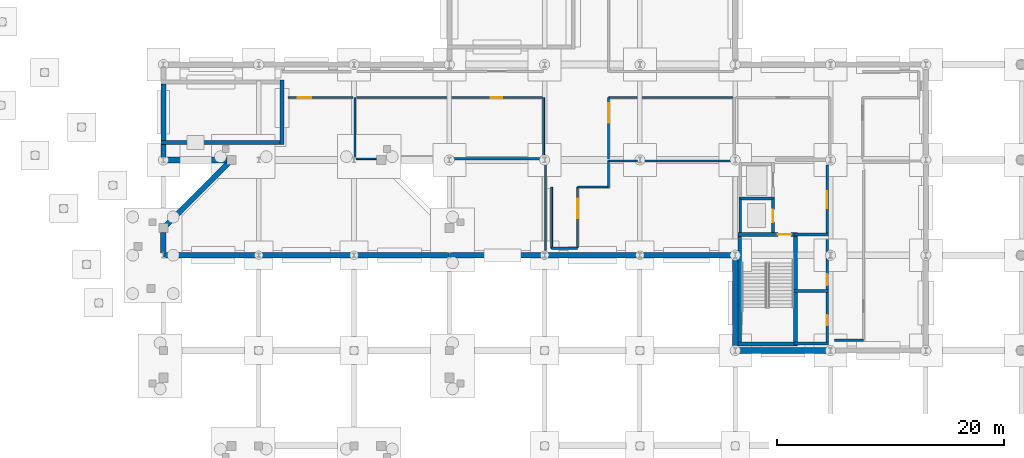
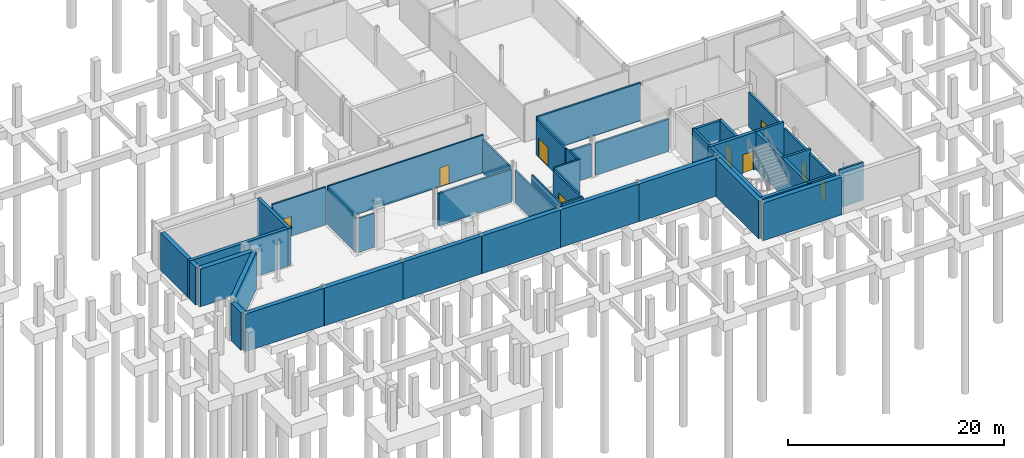
# One storey, part 26 of 43: 45 walls, 9 doors, 9 openings.
"""IFC4 building model written with IfcOpenShell, lengths in metres."""

from ifc_helpers import new_model, si_unit, direction, frame, frame_2d, origin, place, context, subcontext, project, spatial, rectangle, extrude, material, layer, layer_set, type_object, element, fill, save


model = new_model("IFC4")

# Units and contexts
model_context = context("Model", 3, precision=1e-05, world=origin(), true_north=direction((0.0, 1.0)))
body_context = subcontext(model_context, "Body", "Model", "MODEL_VIEW")
ifc_project = project(units=[si_unit("LENGTHUNIT", "METRE"), si_unit("AREAUNIT", "SQUARE_METRE"), si_unit("VOLUMEUNIT", "CUBIC_METRE"), si_unit("PLANEANGLEUNIT", "RADIAN"), si_unit("MASSUNIT", "GRAM", prefix="KILO")], contexts=[model_context])

# Site, building, storey
site_placement = place(None, origin())
site = spatial("IfcSite", under=ifc_project, at=site_placement, CompositionType="ELEMENT")
building_placement = place(site_placement, origin())
building = spatial("IfcBuilding", under=site, at=building_placement, Name="Mersafa Astral City Hall", CompositionType="ELEMENT")
storey_placement = place(building_placement, frame((0.0, 0.0, -4.5)))
storey = spatial("IfcBuildingStorey", under=building, at=storey_placement, Name="B1", CompositionType="ELEMENT", Elevation=-4.5)

# Walls
ifc_material_1 = material(Name="Concrete C40/50", Category="concrete")
ifc_layer_1 = layer(ifc_material_1, 0.449951171875, Name="Concrete C40/50")
ifc_layer_set_1 = layer_set([ifc_layer_1], Name="Concrete C40/50 — ENV-WAL-RET-450")
wall_type_1 = type_object("IfcWallType", Name="ENV-WAL-RET-450", PredefinedType="USERDEFINED", material=ifc_layer_set_1)
wall_1_placement = place(storey_placement, frame((72.950439453125, 24.950439453125, 0.0), z_axis=(0.0, 0.0, 1.0), x_axis=(-0.707106781187, -0.707106781187, 0.0)))
element("IfcWall", 1, at=wall_1_placement, inside=storey, type_object=wall_type_1, Name="B1 Perimeter retaining wall 91", ObjectType="RETAININGWALL", PredefinedType="USERDEFINED", context=body_context, shape_type="SweptSolid", body=[
    extrude(rectangle(XDim=7.779296875, YDim=0.449951171875, at=frame_2d((3.8896484375, 0.0))), origin(), (0.0, 0.0, 1.0), 4.25),
])
for number, where, z_axis, x_axis, name in (
    (2, (67.2080078125, 16.800048828125, 0.0), (0.0, 0.0, 1.0), (1.0, 0.0, 0.0), "B1 Perimeter retaining wall 93"),
    (3, (84.008056640625, 16.800048828125, 0.0), (0.0, 0.0, 1.0), (1.0, 0.0, 0.0), "B1 Perimeter retaining wall 95"),
):
    element("IfcWall", number, at=place(storey_placement, frame(where, z_axis=z_axis, x_axis=x_axis)), inside=storey, type_object=wall_type_1, Name=name, ObjectType="RETAININGWALL", PredefinedType="USERDEFINED", context=body_context, shape_type="SweptSolid", body=[
        extrude(rectangle(XDim=8.384033203125, YDim=0.449951171875, at=frame_2d((4.19189453125, 0.0))), origin(), (0.0, 0.0, 1.0), 4.25),
    ])
wall_2_placement = place(storey_placement, frame((100.80810546875, 16.800048828125, 0.0), z_axis=(0.0, 0.0, 1.0), x_axis=(1.0, 0.0, 0.0)))
element("IfcWall", 4, at=wall_2_placement, inside=storey, type_object=wall_type_1, Name="B1 Perimeter retaining wall 97", ObjectType="RETAININGWALL", PredefinedType="USERDEFINED", context=body_context, shape_type="SweptSolid", body=[
    extrude(rectangle(XDim=8.3837890625, YDim=0.449951171875, at=frame_2d((4.19189453125, 0.0))), origin(), (0.0, 0.0, 1.0), 4.25),
])
wall_3_placement = place(storey_placement, frame((117.60009765625, 16.56494140625, 0.0), z_axis=(0.0, 0.0, 1.0), x_axis=(0.0, -1.0, 0.0)))
element("IfcWall", 5, at=wall_3_placement, inside=storey, type_object=wall_type_1, Name="B1 Perimeter retaining wall 99", ObjectType="RETAININGWALL", PredefinedType="USERDEFINED", context=body_context, shape_type="SweptSolid", body=[
    extrude(rectangle(XDim=7.929931640625, YDim=0.449951171875, at=frame_2d((3.96484375, 0.0))), origin(), (0.0, 0.0, 1.0), 4.25),
])
wall_4_placement = place(storey_placement, frame((67.199951171875, 31.883056640625, 0.0), z_axis=(0.0, 0.0, 1.0), x_axis=(0.0, -1.0, 0.0)))
element("IfcWall", 6, at=wall_4_placement, inside=storey, type_object=wall_type_1, Name="B1 Perimeter retaining wall 89", ObjectType="RETAININGWALL", PredefinedType="USERDEFINED", context=body_context, shape_type="SweptSolid", body=[
    extrude(rectangle(XDim=4.966064453125, YDim=0.449951171875, at=frame_2d((2.48291015625, 0.0))), origin(), (0.0, 0.0, 1.0), 4.25),
])
wall_5_placement = place(storey_placement, frame((67.199951171875, 26.572998046875, 0.0), z_axis=(0.0, 0.0, 1.0), x_axis=(0.0, -1.0, 0.0)))
element("IfcWall", 7, at=wall_5_placement, inside=storey, type_object=wall_type_1, Name="B1 Perimeter retaining wall 89", ObjectType="RETAININGWALL", PredefinedType="USERDEFINED", context=body_context, shape_type="SweptSolid", body=[
    extrude(rectangle(XDim=1.1630859375, YDim=0.449951171875, at=frame_2d((0.58154296875, 0.0))), origin(), (0.0, 0.0, 1.0), 4.25),
])
ifc_layer_2 = layer(ifc_material_1, 0.5, Name="Concrete C40/50")
ifc_layer_set_2 = layer_set([ifc_layer_2], Name="Concrete C40/50 — ENV-WAL-RET-500")
wall_type_2 = type_object("IfcWallType", Name="ENV-WAL-RET-500", PredefinedType="USERDEFINED", material=ifc_layer_set_2)
wall_6_placement = place(storey_placement, frame((67.2080078125, 25.199951171875, 0.0), z_axis=(0.0, 0.0, 1.0), x_axis=(1.0, 0.0, 0.0)))
element("IfcWall", 8, at=wall_6_placement, inside=storey, type_object=wall_type_2, Name="B1 Perimeter retaining wall 90", ObjectType="RETAININGWALL", PredefinedType="USERDEFINED", context=body_context, shape_type="SweptSolid", body=[
    extrude(rectangle(XDim=5.60693359375, YDim=0.5, at=frame_2d((2.803466796875, 0.0))), origin(), (0.0, 0.0, 1.0), 4.25),
])
wall_7_placement = place(storey_placement, frame((67.199951171875, 18.81494140625, 0.0), z_axis=(0.0, 0.0, 1.0), x_axis=(0.0, -1.0, 0.0)))
element("IfcWall", 9, at=wall_7_placement, inside=storey, type_object=wall_type_2, Name="B1 Perimeter retaining wall 92", ObjectType="RETAININGWALL", PredefinedType="USERDEFINED", context=body_context, shape_type="SweptSolid", body=[
    extrude(rectangle(XDim=1.804931640625, YDim=0.5, at=frame_2d((0.90234375, 0.0))), origin(), (0.0, 0.0, 1.0), 4.25),
])
for number, where, z_axis, x_axis, name in (
    (10, (75.60791015625, 16.800048828125, 0.0), (0.0, 0.0, 1.0), (1.0, 0.0, 0.0), "B1 Perimeter retaining wall 94"),
    (11, (92.407958984375, 16.800048828125, 0.0), (0.0, 0.0, 1.0), (1.0, 0.0, 0.0), "B1 Perimeter retaining wall 96"),
    (12, (109.2080078125, 16.800048828125, 0.0), (0.0, 0.0, 1.0), (1.0, 0.0, 0.0), "B1 Perimeter retaining wall 98"),
    (13, (117.60791015625, 8.39990234375, 0.0), (0.0, 0.0, 1.0), (1.0, 0.0, 0.0), "B1 Perimeter retaining wall 100"),
):
    element("IfcWall", number, at=place(storey_placement, frame(where, z_axis=z_axis, x_axis=x_axis)), inside=storey, type_object=wall_type_2, Name=name, ObjectType="RETAININGWALL", PredefinedType="USERDEFINED", context=body_context, shape_type="SweptSolid", body=[
        extrude(rectangle(XDim=8.384033203125, YDim=0.5, at=frame_2d((4.19189453125, 0.0))), origin(), (0.0, 0.0, 1.0), 4.25),
    ])
ifc_layer_3 = layer(ifc_material_1, 0.260009765625, Name="Concrete C40/50")
ifc_layer_set_3 = layer_set([ifc_layer_3], Name="Concrete C40/50 — INT-WAL-CORE-260")
wall_type_3 = type_object("IfcWallType", Name="INT-WAL-CORE-260", PredefinedType="SHEAR", material=ifc_layer_set_3)
wall_8_placement = place(storey_placement, frame((117.9150390625, 21.784912109375, 0.0), z_axis=(0.0, 0.0, 1.0), x_axis=(1.0, 0.0, 0.0)))
element("IfcWall", 14, at=wall_8_placement, inside=storey, type_object=wall_type_3, Name="B1 Lift LF7 north shaft wall", PredefinedType="SHEAR", context=body_context, shape_type="SweptSolid", body=[
    extrude(rectangle(XDim=3.1298828125, YDim=0.260009765625, at=frame_2d((1.56494140625, 0.0))), origin(), (0.0, 0.0, 1.0), 4.25),
])
wall_9_placement = place(storey_placement, frame((118.044921875, 18.797119140625, 0.0), z_axis=(0.0, 0.0, 1.0), x_axis=(0.0, 1.0, 0.0)))
element("IfcWall", 15, at=wall_9_placement, inside=storey, type_object=wall_type_3, Name="B1 Lift LF7 back shaft wall", PredefinedType="SHEAR", context=body_context, shape_type="SweptSolid", body=[
    extrude(rectangle(XDim=2.947998046875, YDim=0.260009765625, at=frame_2d((1.47412109375, 0.0))), origin(), (0.0, 0.0, 1.0), 4.25),
])

# Wall, opening, door
wall_10_placement = place(storey_placement, frame((120.9150390625, 18.797119140625, 0.0), z_axis=(0.0, 0.0, 1.0), x_axis=(0.0, 1.0, 0.0)))
wall_10 = element("IfcWall", 16, at=wall_10_placement, inside=storey, type_object=wall_type_3, Name="B1 Lift LF7 front shaft wall", PredefinedType="SHEAR", context=body_context, shape_type="SweptSolid", body=[
    extrude(rectangle(XDim=2.947998046875, YDim=0.260009765625, at=frame_2d((1.47412109375, 0.0))), origin(), (0.0, 0.0, 1.0), 4.25),
])
opening_1_placement = place(wall_10_placement, frame((0.924072265625, 0.0, 0.0)))
opening_1 = element("IfcOpeningElement", 17, at=opening_1_placement, cuts=wall_10, Name="Opening LD-1", PredefinedType="OPENING", context=body_context, shape_type="SweptSolid", body=[
    extrude(rectangle(XDim=1.10009765625, YDim=2.14990234375, at=frame_2d((0.550048828125, 1.074951171875))), frame((0.0, 0.139892578125, 0.0), z_axis=(0.0, -1.0, 0.0), x_axis=(1.0, 0.0, 0.0)), (0.0, 0.0, 1.0), 0.280029296875),
])
ifc_material_2 = material(Name="Stainless steel sliding lift landing door", Category="steel")
door_type_1 = type_object("IfcDoorType", Name="INT-DR-LIFT-LD1", OperationType="NOTDEFINED", PredefinedType="DOOR", material=ifc_material_2)
door_1_placement = place(opening_1_placement, origin())
door_1 = element("IfcDoor", 18, at=door_1_placement, inside=storey, type_object=door_type_1, Name="Elevator LF7 Sliding Landing Door B1", OperationType="DOUBLE_DOOR_SLIDING", OverallHeight=2.14990234375, OverallWidth=1.10009765625, PredefinedType="DOOR", context=body_context, shape_type="SweptSolid", body=[
    extrude(rectangle(XDim=1.10009765625, YDim=2.14990234375, at=frame_2d((0.550048828125, 1.074951171875))), frame((0.0, 0.02490234375, 0.0), z_axis=(0.0, -1.0, 0.0), x_axis=(1.0, 0.0, 0.0)), (0.0, 0.0, 1.0), 0.050048828125),
])
fill(opening_1, door_1)

# Walls
for number, where, z_axis, x_axis, name in (
    (19, (122.764892578125, 9.02001953125, 0.0), (0.0, 0.0, 1.0), (1.0, 0.0, 0.0), "B1 Core K5 riser south wall"),
    (20, (122.764892578125, 13.635009765625, 0.0), (0.0, 0.0, 1.0), (1.0, 0.0, 0.0), "B1 Core K5 riser-restroom divider wall"),
    (21, (122.764892578125, 18.635009765625, 0.0), (0.0, 0.0, 1.0), (1.0, 0.0, 0.0), "B1 Core K5 restroom-lobby divider wall"),
):
    element("IfcWall", number, at=place(storey_placement, frame(where, z_axis=z_axis, x_axis=x_axis)), inside=storey, type_object=wall_type_3, Name=name, PredefinedType="SHEAR", context=body_context, shape_type="SweptSolid", body=[
        extrude(rectangle(XDim=3.03515625, YDim=0.260009765625, at=frame_2d((1.517578125, 0.0))), origin(), (0.0, 0.0, 1.0), 4.25),
    ])
ifc_layer_4 = layer(ifc_material_1, 0.340087890625, Name="Concrete C40/50")
ifc_layer_set_4 = layer_set([ifc_layer_4], Name="Concrete C40/50 — INT-WAL-CORE-340")
wall_type_4 = type_object("IfcWallType", Name="INT-WAL-CORE-340", PredefinedType="SHEAR", material=ifc_layer_set_4)
for number, where, z_axis, x_axis, name in (
    (22, (118.0048828125, 8.804931640625, 0.0), (0.0, 0.0, 1.0), (0.0, 1.0, 0.0), "B1 Core K5 stair west shear wall"),
    (23, (122.9150390625, 8.804931640625, 0.0), (0.0, 0.0, 1.0), (0.0, 1.0, 0.0), "B1 Core K5 stair east shear wall"),
):
    element("IfcWall", number, at=place(storey_placement, frame(where, z_axis=z_axis, x_axis=x_axis)), inside=storey, type_object=wall_type_4, Name=name, PredefinedType="SHEAR", context=body_context, shape_type="SweptSolid", body=[
        extrude(rectangle(XDim=9.989990234375, YDim=0.340087890625, at=frame_2d((4.9951171875, 0.0))), origin(), (0.0, 0.0, 1.0), 4.25),
    ])
wall_11_placement = place(storey_placement, frame((117.8349609375, 8.97509765625, 0.0), z_axis=(0.0, 0.0, 1.0), x_axis=(1.0, 0.0, 0.0)))
element("IfcWall", 24, at=wall_11_placement, inside=storey, type_object=wall_type_4, Name="B1 Core K5 stair south shear wall", PredefinedType="SHEAR", context=body_context, shape_type="SweptSolid", body=[
    extrude(rectangle(XDim=5.25, YDim=0.340087890625, at=frame_2d((2.625, 0.0))), origin(), (0.0, 0.0, 1.0), 4.25),
])

# Wall, opening, door
wall_12_placement = place(storey_placement, frame((117.8349609375, 18.625, 0.0), z_axis=(0.0, 0.0, 1.0), x_axis=(1.0, 0.0, 0.0)))
wall_12 = element("IfcWall", 25, at=wall_12_placement, inside=storey, type_object=wall_type_4, Name="B1 Core K5 stair-lobby fire wall", PredefinedType="SHEAR", context=body_context, shape_type="SweptSolid", body=[
    extrude(rectangle(XDim=5.25, YDim=0.340087890625, at=frame_2d((2.625, 0.0))), origin(), (0.0, 0.0, 1.0), 4.25),
])
opening_2_placement = place(wall_12_placement, frame((3.534912109375, 0.0, 0.0)))
opening_2 = element("IfcOpeningElement", 26, at=opening_2_placement, cuts=wall_12, Name="Opening CD-1", PredefinedType="OPENING", context=body_context, shape_type="SweptSolid", body=[
    extrude(rectangle(XDim=1.14990234375, YDim=2.14990234375, at=frame_2d((0.574951171875, 1.074951171875))), frame((0.0, 0.179931640625, 0.0), z_axis=(0.0, -1.0, 0.0), x_axis=(1.0, 0.0, 0.0)), (0.0, 0.0, 1.0), 0.360107421875),
])
ifc_material_3 = material(Name="Fire-rated steel stair door", Category="steel")
door_type_2 = type_object("IfcDoorType", Name="INT-DR-STAIR-FD90-1150", OperationType="NOTDEFINED", PredefinedType="DOOR", material=ifc_material_3)
door_2_placement = place(opening_2_placement, origin())
door_2 = element("IfcDoor", 27, at=door_2_placement, inside=storey, type_object=door_type_2, Name="B1 Protected Stair ST5 Door", OperationType="SINGLE_SWING_LEFT", OverallHeight=2.14990234375, OverallWidth=1.14990234375, PredefinedType="DOOR", context=body_context, shape_type="SweptSolid", body=[
    extrude(rectangle(XDim=1.14990234375, YDim=2.14990234375, at=frame_2d((0.574951171875, 1.074951171875))), frame((0.0, 0.02490234375, 0.0), z_axis=(0.0, -1.0, 0.0), x_axis=(1.0, 0.0, 0.0)), (0.0, 0.0, 1.0), 0.050048828125),
])
fill(opening_2, door_2)

# Walls
wall_13_placement = place(storey_placement, frame((67.0, 26.7451171875, 0.0), z_axis=(0.0, 0.0, 1.0), x_axis=(1.0, 0.0, 0.0)))
element("IfcWall", 28, at=wall_13_placement, inside=storey, type_object=wall_type_4, Name="B1 Stair shaft K7 foundation shear wall S", PredefinedType="SHEAR", context=body_context, shape_type="SweptSolid", body=[
    extrude(rectangle(XDim=10.824951171875, YDim=0.340087890625, at=frame_2d((5.41259765625, 0.0))), origin(), (0.0, 0.0, 1.0), 4.25),
])
wall_14_placement = place(storey_placement, frame((77.655029296875, 26.574951171875, 0.0), z_axis=(0.0, 0.0, 1.0), x_axis=(0.0, 1.0, 0.0)))
element("IfcWall", 29, at=wall_14_placement, inside=storey, type_object=wall_type_4, Name="B1 Stair shaft K7 foundation shear wall E", PredefinedType="SHEAR", context=body_context, shape_type="SweptSolid", body=[
    extrude(rectangle(XDim=5.650146484375, YDim=0.340087890625, at=frame_2d((2.8251953125, 0.0))), origin(), (0.0, 0.0, 1.0), 4.25),
])
ifc_material_4 = material(Name="Acoustic steel-stud gypsum partition", Category="steel")
ifc_layer_5 = layer(ifc_material_4, 0.135009765625, Name="Acoustic steel-stud gypsum partition")
ifc_layer_set_5 = layer_set([ifc_layer_5], Name="Acoustic steel-stud gypsum partition — INT-WAL-PART-EI30-135")
wall_type_5 = type_object("IfcWallType", Name="INT-WAL-PART-EI30-135", PredefinedType="STANDARD", material=ifc_layer_set_5)
wall_15_placement = place(storey_placement, frame((85.9423828125, 25.2900390625, -0.00390625), z_axis=(0.0, 0.0, 1.0), x_axis=(-1.0, 0.0, 0.0)))
element("IfcWall", 30, at=wall_15_placement, inside=storey, type_object=wall_type_5, Name="B1 Interior partition wall 61", PredefinedType="STANDARD", context=body_context, shape_type="SweptSolid", body=[
    extrude(rectangle(XDim=1.74072265625, YDim=0.135009765625, at=frame_2d((0.870361328125, 0.0))), origin(), (0.0, 0.0, 1.0), 3.845947265625),
])
ifc_material_5 = material(Name="Fire-rated gypsum stud partition", Category="gypsum")
ifc_layer_6 = layer(ifc_material_5, 0.1650390625, Name="Fire-rated gypsum stud partition")
ifc_layer_set_6 = layer_set([ifc_layer_6], Name="Fire-rated gypsum stud partition — INT-WAL-PART-EI60-165")
wall_type_6 = type_object("IfcWallType", Name="INT-WAL-PART-EI60-165", PredefinedType="STANDARD", material=ifc_layer_set_6)
wall_16_placement = place(storey_placement, frame((101.419921875, 22.81005859375, -0.00390625), z_axis=(0.0, 0.0, 1.0), x_axis=(0.0, -1.0, 0.0)))
element("IfcWall", 31, at=wall_16_placement, inside=storey, type_object=wall_type_6, Name="B1 Interior partition wall 47", PredefinedType="STANDARD", context=body_context, shape_type="SweptSolid", body=[
    extrude(rectangle(XDim=5.39013671875, YDim=0.1650390625, at=frame_2d((2.695068359375, 0.0))), origin(), (0.0, 0.0, 1.0), 4.25390625),
])
wall_17_placement = place(storey_placement, frame((106.429931640625, 22.81005859375, -0.00390625), z_axis=(0.0, 0.0, 1.0), x_axis=(0.0, 1.0, 0.0)))
element("IfcWall", 32, at=wall_17_placement, inside=storey, type_object=wall_type_6, Name="B1 Interior partition wall 51", PredefinedType="STANDARD", context=body_context, shape_type="SweptSolid", body=[
    extrude(rectangle(XDim=2.300048828125, YDim=0.1650390625, at=frame_2d((1.14990234375, 0.0))), origin(), (0.0, 0.0, 1.0), 4.015869140625),
])
wall_18_placement = place(storey_placement, frame((100.7099609375, 30.699951171875, -0.00390625), z_axis=(0.0, 0.0, 1.0), x_axis=(0.0, -1.0, 0.0)))
element("IfcWall", 33, at=wall_18_placement, inside=storey, type_object=wall_type_6, Name="B1 Interior partition wall 59", PredefinedType="STANDARD", context=body_context, shape_type="SweptSolid", body=[
    extrude(rectangle(XDim=5.29833984375, YDim=0.1650390625, at=frame_2d((2.649169921875, 0.0))), origin(), (0.0, 0.0, 1.0), 3.745849609375),
])

# Wall, opening, door
wall_19_placement = place(storey_placement, frame((84.090087890625, 30.699951171875, -0.00390625), z_axis=(0.0, 0.0, 1.0), x_axis=(1.0, 0.0, 0.0)))
wall_19 = element("IfcWall", 34, at=wall_19_placement, inside=storey, type_object=wall_type_6, Name="B1 Interior partition wall 63", PredefinedType="STANDARD", context=body_context, shape_type="SweptSolid", body=[
    extrude(rectangle(XDim=16.619873046875, YDim=0.1650390625, at=frame_2d((8.31005859375, 0.0))), origin(), (0.0, 0.0, 1.0), 4.25390625),
])
opening_3_placement = place(wall_19_placement, frame((11.97509765625, 0.0, 0.014892578125)))
opening_3 = element("IfcOpeningElement", 35, at=opening_3_placement, cuts=wall_19, Name="Opening D-11", PredefinedType="OPENING", context=body_context, shape_type="SweptSolid", body=[
    extrude(rectangle(XDim=0.97998046875, YDim=2.139892578125, at=frame_2d((0.489990234375, 1.06982421875))), frame((0.0, 0.092529296875, 0.0), z_axis=(0.0, -1.0, 0.0), x_axis=(1.0, 0.0, 0.0)), (0.0, 0.0, 1.0), 0.18505859375),
])
ifc_material_6 = material(Name="Cedar veneered acoustic fire-rated timber door", Category="wood")
door_type_3 = type_object("IfcDoorType", Name="INT-DR-RM-D-11", OperationType="NOTDEFINED", PredefinedType="DOOR", material=ifc_material_6)
door_3_placement = place(opening_3_placement, origin())
door_3 = element("IfcDoor", 36, at=door_3_placement, inside=storey, type_object=door_type_3, Name="B1 Bicycle & Staff Changing Room B1-10 Entrance Door", OperationType="SINGLE_SWING_LEFT", OverallHeight=2.139892578125, OverallWidth=0.97998046875, PredefinedType="DOOR", context=body_context, shape_type="SweptSolid", body=[
    extrude(rectangle(XDim=0.97998046875, YDim=2.139892578125, at=frame_2d((0.489990234375, 1.06982421875))), frame((0.0, 0.02490234375, 0.0), z_axis=(0.0, -1.0, 0.0), x_axis=(1.0, 0.0, 0.0)), (0.0, 0.0, 1.0), 0.050048828125),
])
fill(opening_3, door_3)

# Walls
ifc_material_7 = material(Name="Acoustic twin-stud gypsum partition", Category="gypsum")
ifc_layer_7 = layer(ifc_material_7, 0.179931640625, Name="Acoustic twin-stud gypsum partition")
ifc_layer_set_7 = layer_set([ifc_layer_7], Name="Acoustic twin-stud gypsum partition — INT-WAL-PART-EI60-180")
wall_type_7 = type_object("IfcWallType", Name="INT-WAL-PART-EI60-180", PredefinedType="STANDARD", material=ifc_layer_set_7)
wall_20_placement = place(storey_placement, frame((103.699951171875, 22.81005859375, -0.00390625), z_axis=(0.0, 0.0, 1.0), x_axis=(1.0, 0.0, 0.0)))
element("IfcWall", 37, at=wall_20_placement, inside=storey, type_object=wall_type_7, Name="B1 Interior partition wall 50", PredefinedType="STANDARD", context=body_context, shape_type="SweptSolid", body=[
    extrude(rectangle(XDim=2.72998046875, YDim=0.179931640625, at=frame_2d((1.364990234375, 0.0))), origin(), (0.0, 0.0, 1.0), 4.25390625),
])
wall_21_placement = place(storey_placement, frame((100.889892578125, 17.219970703125, -0.00390625), z_axis=(0.0, 0.0, 1.0), x_axis=(0.0, 1.0, 0.0)))
element("IfcWall", 38, at=wall_21_placement, inside=storey, type_object=wall_type_7, Name="B1 Interior partition wall 54", PredefinedType="STANDARD", context=body_context, shape_type="SweptSolid", body=[
    extrude(rectangle(XDim=7.7783203125, YDim=0.179931640625, at=frame_2d((3.88916015625, 0.0))), origin(), (0.0, 0.0, 1.0), 3.635986328125),
])
wall_22_placement = place(storey_placement, frame((84.090087890625, 25.401611328125, -0.00390625), z_axis=(0.0, 0.0, 1.0), x_axis=(0.0, 1.0, 0.0)))
element("IfcWall", 39, at=wall_22_placement, inside=storey, type_object=wall_type_7, Name="B1 Interior partition wall 62", PredefinedType="STANDARD", context=body_context, shape_type="SweptSolid", body=[
    extrude(rectangle(XDim=5.29833984375, YDim=0.179931640625, at=frame_2d((2.649169921875, 0.0))), origin(), (0.0, 0.0, 1.0), 3.926025390625),
])

# Wall, opening, door
wall_23_placement = place(storey_placement, frame((106.429931640625, 25.2900390625, -0.00390625), z_axis=(0.0, 0.0, 1.0), x_axis=(0.0, 1.0, 0.0)))
wall_23 = element("IfcWall", 40, at=wall_23_placement, inside=storey, type_object=wall_type_7, Name="B1 Interior partition wall 86", PredefinedType="STANDARD", context=body_context, shape_type="SweptSolid", body=[
    extrude(rectangle(XDim=5.409912109375, YDim=0.179931640625, at=frame_2d((2.705078125, 0.0))), origin(), (0.0, 0.0, 1.0), 3.935791015625),
])
opening_4_placement = place(wall_23_placement, frame((3.197509765625, 0.0, 0.014892578125)))
opening_4 = element("IfcOpeningElement", 41, at=opening_4_placement, cuts=wall_23, Name="Opening D-18", PredefinedType="OPENING", context=body_context, shape_type="SweptSolid", body=[
    extrude(rectangle(XDim=1.719970703125, YDim=2.139892578125, at=frame_2d((0.85986328125, 1.06982421875))), frame((0.0, 0.099853515625, 0.0), z_axis=(0.0, -1.0, 0.0), x_axis=(1.0, 0.0, 0.0)), (0.0, 0.0, 1.0), 0.199951171875),
])
door_type_4 = type_object("IfcDoorType", Name="INT-DR-RM-D-18", OperationType="NOTDEFINED", PredefinedType="DOOR", material=ifc_material_6)
door_4_placement = place(opening_4_placement, origin())
door_4 = element("IfcDoor", 42, at=door_4_placement, inside=storey, type_object=door_type_4, Name="B1 Mechanical Chiller Plant Room B1-17 Entrance Door", OperationType="SINGLE_SWING_RIGHT", OverallHeight=2.139892578125, OverallWidth=1.719970703125, PredefinedType="DOOR", context=body_context, shape_type="SweptSolid", body=[
    extrude(rectangle(XDim=1.719970703125, YDim=2.139892578125, at=frame_2d((0.85986328125, 1.06982421875))), frame((0.0, 0.02490234375, 0.0), z_axis=(0.0, -1.0, 0.0), x_axis=(1.0, 0.0, 0.0)), (0.0, 0.0, 1.0), 0.050048828125),
])
fill(opening_4, door_4)

wall_24_placement = place(storey_placement, frame((78.199951171875, 30.699951171875, -0.00390625), z_axis=(0.0, 0.0, 1.0), x_axis=(1.0, 0.0, 0.0)))
wall_24 = element("IfcWall", 43, at=wall_24_placement, inside=storey, type_object=wall_type_7, Name="B1 Interior partition wall 98", PredefinedType="STANDARD", context=body_context, shape_type="SweptSolid", body=[
    extrude(rectangle(XDim=5.7099609375, YDim=0.179931640625, at=frame_2d((2.85498046875, 0.0))), origin(), (0.0, 0.0, 1.0), 4.25390625),
])
opening_5_placement = place(wall_24_placement, frame((0.83740234375, 0.0, 0.014892578125)))
opening_5 = element("IfcOpeningElement", 44, at=opening_5_placement, cuts=wall_24, Name="Opening D-23", PredefinedType="OPENING", context=body_context, shape_type="SweptSolid", body=[
    extrude(rectangle(XDim=1.179931640625, YDim=2.219970703125, at=frame_2d((0.58984375, 1.10986328125))), frame((0.0, 0.099853515625, 0.0), z_axis=(0.0, -1.0, 0.0), x_axis=(1.0, 0.0, 0.0)), (0.0, 0.0, 1.0), 0.199951171875),
])
door_type_5 = type_object("IfcDoorType", Name="INT-DR-RM-D-23", OperationType="NOTDEFINED", PredefinedType="DOOR", material=ifc_material_6)
door_5_placement = place(opening_5_placement, origin())
door_5 = element("IfcDoor", 45, at=door_5_placement, inside=storey, type_object=door_type_5, Name="B1 Bicycle & Staff Changing Room B1-22 Entrance Door", OperationType="SINGLE_SWING_LEFT", OverallHeight=2.219970703125, OverallWidth=1.179931640625, PredefinedType="DOOR", context=body_context, shape_type="SweptSolid", body=[
    extrude(rectangle(XDim=1.179931640625, YDim=2.219970703125, at=frame_2d((0.58984375, 1.10986328125))), frame((0.0, 0.02490234375, 0.0), z_axis=(0.0, -1.0, 0.0), x_axis=(1.0, 0.0, 0.0)), (0.0, 0.0, 1.0), 0.050048828125),
])
fill(opening_5, door_5)

ifc_layer_8 = layer(ifc_material_7, 0.195068359375, Name="Acoustic twin-stud gypsum partition")
ifc_layer_set_8 = layer_set([ifc_layer_8], Name="Acoustic twin-stud gypsum partition — INT-WAL-PART-EI60-195")
wall_type_8 = type_object("IfcWallType", Name="INT-WAL-PART-EI60-195", PredefinedType="STANDARD", material=ifc_layer_set_8)
wall_25_placement = place(storey_placement, frame((103.699951171875, 17.419921875, -0.00390625), z_axis=(0.0, 0.0, 1.0), x_axis=(0.0, 1.0, 0.0)))
wall_25 = element("IfcWall", 46, at=wall_25_placement, inside=storey, type_object=wall_type_8, Name="B1 Interior partition wall 49", PredefinedType="STANDARD", context=body_context, shape_type="SweptSolid", body=[
    extrude(rectangle(XDim=5.39013671875, YDim=0.195068359375, at=frame_2d((2.695068359375, 0.0))), origin(), (0.0, 0.0, 1.0), 4.015869140625),
])
opening_6_placement = place(wall_25_placement, frame((2.6435546875, 0.0, 0.014892578125)))
opening_6 = element("IfcOpeningElement", 47, at=opening_6_placement, cuts=wall_25, Name="Opening D-09", PredefinedType="OPENING", context=body_context, shape_type="SweptSolid", body=[
    extrude(rectangle(XDim=1.719970703125, YDim=2.06005859375, at=frame_2d((0.85986328125, 1.030029296875))), frame((0.0, 0.107421875, 0.0), z_axis=(0.0, -1.0, 0.0), x_axis=(1.0, 0.0, 0.0)), (0.0, 0.0, 1.0), 0.215087890625),
])
door_type_6 = type_object("IfcDoorType", Name="INT-DR-RM-D-09", OperationType="NOTDEFINED", PredefinedType="DOOR", material=ifc_material_6)
door_6_placement = place(opening_6_placement, origin())
door_6 = element("IfcDoor", 48, at=door_6_placement, inside=storey, type_object=door_type_6, Name="B1 Domestic Water Booster Room B1-08 Entrance Door", OperationType="SINGLE_SWING_LEFT", OverallHeight=2.06005859375, OverallWidth=1.719970703125, PredefinedType="DOOR", context=body_context, shape_type="SweptSolid", body=[
    extrude(rectangle(XDim=1.719970703125, YDim=2.06005859375, at=frame_2d((0.85986328125, 1.030029296875))), frame((0.0, 0.02490234375, 0.0), z_axis=(0.0, -1.0, 0.0), x_axis=(1.0, 0.0, 0.0)), (0.0, 0.0, 1.0), 0.050048828125),
])
fill(opening_6, door_6)

# Wall
wall_26_placement = place(storey_placement, frame((109.4287109375, 25.110107421875, -0.00390625), z_axis=(0.0, 0.0, 1.0), x_axis=(1.0, 0.0, 0.0)))
element("IfcWall", 49, at=wall_26_placement, inside=storey, type_object=wall_type_8, Name="B1 Interior partition wall 53", PredefinedType="STANDARD", context=body_context, shape_type="SweptSolid", body=[
    extrude(rectangle(XDim=7.831298828125, YDim=0.195068359375, at=frame_2d((3.91552734375, 0.0))), origin(), (0.0, 0.0, 1.0), 3.635986328125),
])

# Wall, opening, door
ifc_material_8 = material(Name="Autoclaved aerated concrete blockwork plastered", Category="masonry")
ifc_layer_9 = layer(ifc_material_8, 0.2099609375, Name="Autoclaved aerated concrete blockwork plastered")
ifc_layer_set_9 = layer_set([ifc_layer_9], Name="Autoclaved aerated concrete blockwork plastered — INT-WAL-PART-EI60-210")
wall_type_9 = type_object("IfcWallType", Name="INT-WAL-PART-EI60-210", PredefinedType="STANDARD", material=ifc_layer_set_9)
wall_27_placement = place(storey_placement, frame((125.699951171875, 9.02001953125, 0.0), z_axis=(0.0, 0.0, 1.0), x_axis=(0.0, 1.0, 0.0)))
wall_27 = element("IfcWall", 50, at=wall_27_placement, inside=storey, type_object=wall_type_9, Name="B1 Core K5 riser corridor partition", PredefinedType="STANDARD", context=body_context, shape_type="SweptSolid", body=[
    extrude(rectangle(XDim=4.590087890625, YDim=0.2099609375, at=frame_2d((2.294921875, 0.0))), origin(), (0.0, 0.0, 1.0), 3.83203125),
])
opening_7_placement = place(wall_27_placement, frame((1.60009765625, 0.0, 0.0)))
opening_7 = element("IfcOpeningElement", 51, at=opening_7_placement, cuts=wall_27, Name="Opening CD-5", PredefinedType="OPENING", context=body_context, shape_type="SweptSolid", body=[
    extrude(rectangle(XDim=0.89990234375, YDim=2.10009765625, at=frame_2d((0.449951171875, 1.050048828125))), frame((0.0, 0.114990234375, 0.0), z_axis=(0.0, -1.0, 0.0), x_axis=(1.0, 0.0, 0.0)), (0.0, 0.0, 1.0), 0.22998046875),
])
ifc_material_9 = material(Name="Fire-rated steel riser access door", Category="steel")
door_type_7 = type_object("IfcDoorType", Name="INT-DR-RISER-FD60-900", OperationType="NOTDEFINED", PredefinedType="DOOR", material=ifc_material_9)
door_7_placement = place(opening_7_placement, origin())
door_7 = element("IfcDoor", 52, at=door_7_placement, inside=storey, type_object=door_type_7, Name="B1 K5 MEP Riser Access Door", OperationType="SINGLE_SWING_RIGHT", OverallHeight=2.10009765625, OverallWidth=0.89990234375, PredefinedType="DOOR", context=body_context, shape_type="SweptSolid", body=[
    extrude(rectangle(XDim=0.89990234375, YDim=2.10009765625, at=frame_2d((0.449951171875, 1.050048828125))), frame((0.0, 0.02490234375, 0.0), z_axis=(0.0, -1.0, 0.0), x_axis=(1.0, 0.0, 0.0)), (0.0, 0.0, 1.0), 0.050048828125),
])
fill(opening_7, door_7)

wall_28_placement = place(storey_placement, frame((125.699951171875, 13.719970703125, 0.0), z_axis=(0.0, 0.0, 1.0), x_axis=(0.0, 1.0, 0.0)))
wall_28 = element("IfcWall", 53, at=wall_28_placement, inside=storey, type_object=wall_type_9, Name="B1 Core K5 accessible WC corridor partition", PredefinedType="STANDARD", context=body_context, shape_type="SweptSolid", body=[
    extrude(rectangle(XDim=4.47998046875, YDim=0.2099609375, at=frame_2d((2.239990234375, 0.0))), origin(), (0.0, 0.0, 1.0), 3.83203125),
])
opening_8_placement = place(wall_28_placement, frame((0.449951171875, 0.0, 0.0)))
opening_8 = element("IfcOpeningElement", 54, at=opening_8_placement, cuts=wall_28, Name="Opening CD-4", PredefinedType="OPENING", context=body_context, shape_type="SweptSolid", body=[
    extrude(rectangle(XDim=0.949951171875, YDim=2.14990234375, at=frame_2d((0.47509765625, 1.074951171875))), frame((0.0, 0.114990234375, 0.0), z_axis=(0.0, -1.0, 0.0), x_axis=(1.0, 0.0, 0.0)), (0.0, 0.0, 1.0), 0.22998046875),
])
ifc_material_10 = material(Name="Accessible timber acoustic WC door", Category="wood")
door_type_8 = type_object("IfcDoorType", Name="INT-DR-WC-FD30-950", OperationType="NOTDEFINED", PredefinedType="DOOR", material=ifc_material_10)
door_8_placement = place(opening_8_placement, origin())
door_8 = element("IfcDoor", 55, at=door_8_placement, inside=storey, type_object=door_type_8, Name="B1 K5 Accessible Restroom Door", OperationType="SINGLE_SWING_LEFT", OverallHeight=2.14990234375, OverallWidth=0.949951171875, PredefinedType="DOOR", context=body_context, shape_type="SweptSolid", body=[
    extrude(rectangle(XDim=0.949951171875, YDim=2.14990234375, at=frame_2d((0.47509765625, 1.074951171875))), frame((0.0, 0.02490234375, 0.0), z_axis=(0.0, -1.0, 0.0), x_axis=(1.0, 0.0, 0.0)), (0.0, 0.0, 1.0), 0.050048828125),
])
fill(opening_8, door_8)

wall_29_placement = place(storey_placement, frame((125.699951171875, 18.639892578125, 0.0), z_axis=(0.0, 0.0, 1.0), x_axis=(0.0, 1.0, 0.0)))
wall_29 = element("IfcWall", 56, at=wall_29_placement, inside=storey, type_object=wall_type_9, Name="B1 Core K5 lobby corridor partition", PredefinedType="STANDARD", context=body_context, shape_type="SweptSolid", body=[
    extrude(rectangle(XDim=6.1201171875, YDim=0.2099609375, at=frame_2d((3.06005859375, 0.0))), origin(), (0.0, 0.0, 1.0), 3.882080078125),
])
opening_9_placement = place(wall_29_placement, frame((2.31005859375, 0.0, 0.0)))
opening_9 = element("IfcOpeningElement", 57, at=opening_9_placement, cuts=wall_29, Name="Opening CD-3", PredefinedType="OPENING", context=body_context, shape_type="SweptSolid", body=[
    extrude(rectangle(XDim=1.5, YDim=2.199951171875, at=frame_2d((0.75, 1.10009765625))), frame((0.0, 0.114990234375, 0.0), z_axis=(0.0, -1.0, 0.0), x_axis=(1.0, 0.0, 0.0)), (0.0, 0.0, 1.0), 0.22998046875),
])
ifc_material_11 = material(Name="Fire-rated glazed lobby door pair", Category="metal")
door_type_9 = type_object("IfcDoorType", Name="INT-DR-LOBBY-FD90-1500", OperationType="NOTDEFINED", PredefinedType="DOOR", material=ifc_material_11)
door_9_placement = place(opening_9_placement, origin())
door_9 = element("IfcDoor", 58, at=door_9_placement, inside=storey, type_object=door_type_9, Name="B1 K5 Lift Lobby Fire Door", OperationType="DOUBLE_DOOR_SINGLE_SWING", OverallHeight=2.199951171875, OverallWidth=1.5, PredefinedType="DOOR", context=body_context, shape_type="SweptSolid", body=[
    extrude(rectangle(XDim=1.5, YDim=2.199951171875, at=frame_2d((0.75, 1.10009765625))), frame((0.0, 0.02490234375, 0.0), z_axis=(0.0, -1.0, 0.0), x_axis=(1.0, 0.0, 0.0)), (0.0, 0.0, 1.0), 0.050048828125),
])
fill(opening_9, door_9)

# Walls
wall_30_placement = place(storey_placement, frame((101.419921875, 17.419921875, -0.00390625), z_axis=(0.0, 0.0, 1.0), x_axis=(1.0, 0.0, 0.0)))
element("IfcWall", 59, at=wall_30_placement, inside=storey, type_object=wall_type_9, Name="B1 Interior partition wall 48", PredefinedType="STANDARD", context=body_context, shape_type="SweptSolid", body=[
    extrude(rectangle(XDim=2.280029296875, YDim=0.2099609375, at=frame_2d((1.14013671875, 0.0))), origin(), (0.0, 0.0, 1.0), 4.25390625),
])
wall_31_placement = place(storey_placement, frame((106.429931640625, 25.110107421875, -0.00390625), z_axis=(0.0, 0.0, 1.0), x_axis=(1.0, 0.0, 0.0)))
element("IfcWall", 60, at=wall_31_placement, inside=storey, type_object=wall_type_9, Name="B1 Interior partition wall 52", PredefinedType="STANDARD", context=body_context, shape_type="SweptSolid", body=[
    extrude(rectangle(XDim=2.541259765625, YDim=0.2099609375, at=frame_2d((1.2705078125, 0.0))), origin(), (0.0, 0.0, 1.0), 3.73583984375),
])
wall_32_placement = place(storey_placement, frame((100.598388671875, 25.2900390625, -0.00390625), z_axis=(0.0, 0.0, 1.0), x_axis=(-1.0, 0.0, 0.0)))
element("IfcWall", 61, at=wall_32_placement, inside=storey, type_object=wall_type_9, Name="B1 Interior partition wall 60", PredefinedType="STANDARD", context=body_context, shape_type="SweptSolid", body=[
    extrude(rectangle(XDim=7.78857421875, YDim=0.2099609375, at=frame_2d((3.894287109375, 0.0))), origin(), (0.0, 0.0, 1.0), 3.685791015625),
])
wall_33_placement = place(storey_placement, frame((126.340087890625, 9.320068359375, -0.00390625), z_axis=(0.0, 0.0, 1.0), x_axis=(1.0, 0.0, 0.0)))
element("IfcWall", 62, at=wall_33_placement, inside=storey, type_object=wall_type_9, Name="B1 Interior partition wall 64", PredefinedType="STANDARD", context=body_context, shape_type="SweptSolid", body=[
    extrude(rectangle(XDim=2.559814453125, YDim=0.2099609375, at=frame_2d((1.27978515625, 0.0))), origin(), (0.0, 0.0, 1.0), 4.25390625),
])
wall_34_placement = place(storey_placement, frame((106.429931640625, 30.699951171875, -0.00390625), z_axis=(0.0, 0.0, 1.0), x_axis=(1.0, 0.0, 0.0)))
element("IfcWall", 63, at=wall_34_placement, inside=storey, type_object=wall_type_9, Name="B1 Interior partition wall 84", PredefinedType="STANDARD", context=body_context, shape_type="SweptSolid", body=[
    extrude(rectangle(XDim=11.080078125, YDim=0.2099609375, at=frame_2d((5.5400390625, 0.0))), origin(), (0.0, 0.0, 1.0), 4.25390625),
])

save(model, "model.ifc")
